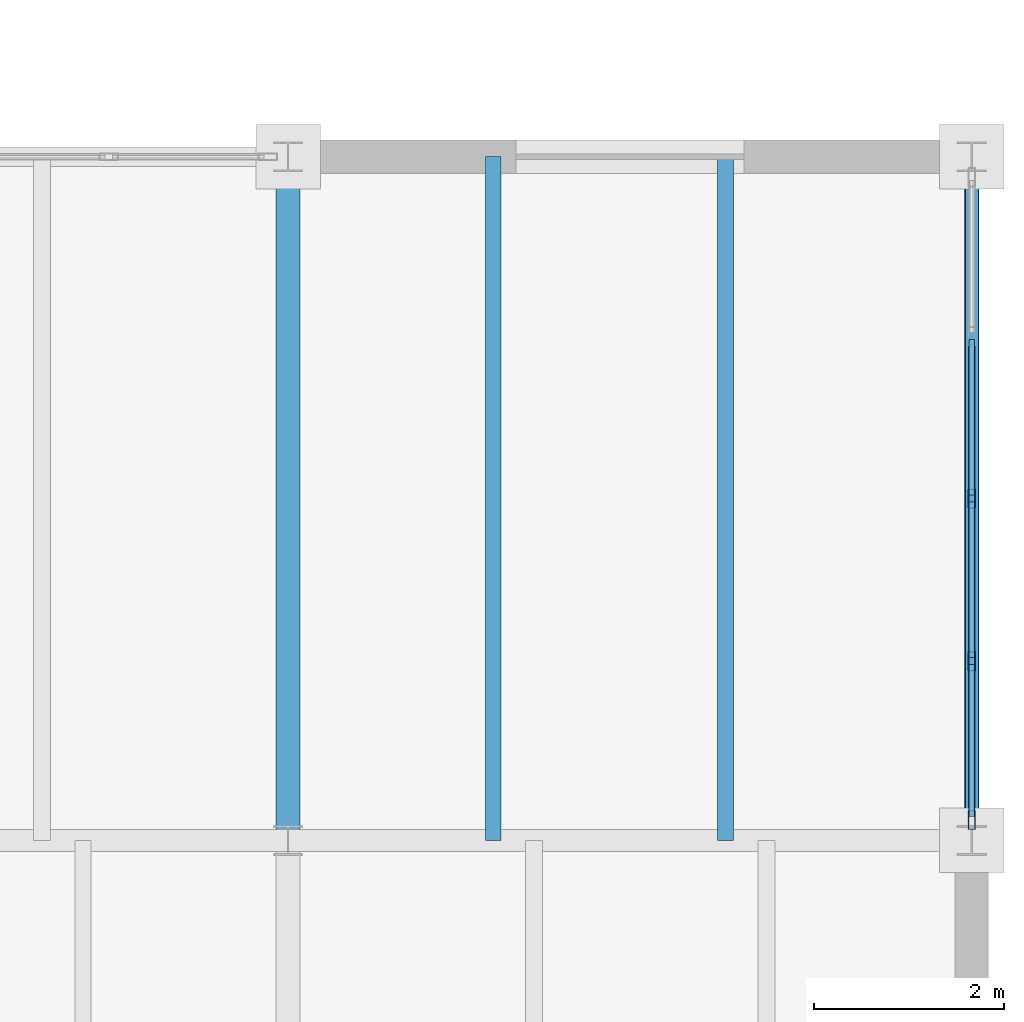
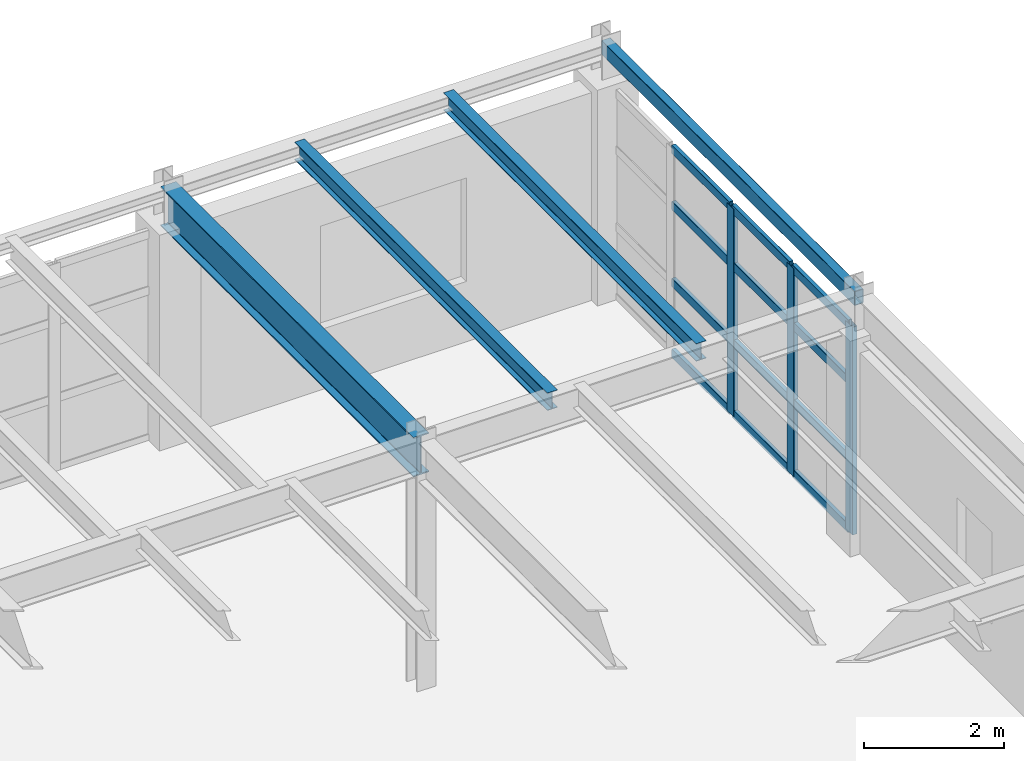
# One storey, part 100 of 137: 15 members, 4 beams, 1 element without a shape of its own.
"""IFC4 building model written with IfcOpenShell, lengths in metres."""

from ifc_helpers import new_model, si_unit, direction, frame, origin, origin_2d, place, context, subcontext, project, spatial, hollow_rectangle, i_section, extrude, material, layer, layer_set, material_profile, profile_set, type_object, element, aggregate, save


model = new_model("IFC4")

# Units and contexts
model_context = context("Model", 3, precision=1e-05, world=origin(), true_north=direction((0.0, 1.0)))
body_context = subcontext(model_context, "Body", "Model", "MODEL_VIEW")
ifc_project = project(units=[si_unit("LENGTHUNIT", "METRE"), si_unit("AREAUNIT", "SQUARE_METRE"), si_unit("VOLUMEUNIT", "CUBIC_METRE"), si_unit("PLANEANGLEUNIT", "RADIAN"), si_unit("MASSUNIT", "GRAM", prefix="KILO")], contexts=[model_context])

# Site, building, storey
site_placement = place(None, origin())
site = spatial("IfcSite", under=ifc_project, at=site_placement, CompositionType="ELEMENT")
building_placement = place(site_placement, origin())
building = spatial("IfcBuilding", under=site, at=building_placement, Name="Kemerveld Promenade Tramway Depot", CompositionType="ELEMENT")
storey_placement = place(building_placement, frame((0.0, 0.0, 5.39990234375)))
storey = spatial("IfcBuildingStorey", under=building, at=storey_placement, Name="L01", CompositionType="ELEMENT", Elevation=5.39990234375)

# Beams
ifc_material_1 = material(Name="Steel S355", Category="steel")
ifc_material_profile_1 = material_profile(ifc_material_1, i_section(OverallWidth=0.25439453125, OverallDepth=0.6875, WebThickness=0.01318359375, FlangeThickness=0.02099609375, FilletRadius=0.01513671875, at=origin_2d()), Name="686x254x152 UB")
ifc_profile_set_1 = profile_set([ifc_material_profile_1], Name="Steel S355")
beam_type_1 = type_object("IfcBeamType", Name="BM-G03", PredefinedType="BEAM", material=ifc_profile_set_1)
beam_1_placement = place(storey_placement, frame((208.800048828125, 43.199951171875, 3.976318359375), z_axis=(0.0, 1.0, 0.0), x_axis=(-1.0, 0.0, 0.0)))
element("IfcBeam", 1, at=beam_1_placement, inside=storey, type_object=beam_type_1, Name="BMY-L01-30-G-H", PredefinedType="BEAM", context=body_context, shape_type="SweptSolid", body=[
    extrude(i_section(OverallWidth=0.25439453125, OverallDepth=0.6875, WebThickness=0.01318359375, FlangeThickness=0.02099609375, FilletRadius=0.01513671875, at=origin_2d()), origin(), (0.0, 0.0, 1.0), 7.199951171875),
])
ifc_material_profile_2 = material_profile(ifc_material_1, i_section(OverallWidth=0.165771484375, OverallDepth=0.306640625, WebThickness=0.006591796875, FlangeThickness=0.01171875, FilletRadius=0.0087890625, at=origin_2d()), Name="305x165x46 UB")
ifc_profile_set_2 = profile_set([ifc_material_profile_2], Name="Steel S355")
beam_type_2 = type_object("IfcBeamType", Name="BM-J01", PredefinedType="JOIST", material=ifc_profile_set_2)
for number, where, z_axis, x_axis, name in (
    (2, (210.9599609375, 43.199951171875, 4.166748046875), (0.0, 1.0, 0.0), (-1.0, 0.0, 0.0), "JST-L01-30-G-1"),
    (3, (213.407958984375, 43.199951171875, 4.166748046875), (0.0, 1.0, 0.0), (-1.0, 0.0, 0.0), "JST-L01-30-G-2"),
):
    element("IfcBeam", number, at=place(storey_placement, frame(where, z_axis=z_axis, x_axis=x_axis)), inside=storey, type_object=beam_type_2, Name=name, PredefinedType="JOIST", context=body_context, shape_type="SweptSolid", body=[
        extrude(i_section(OverallWidth=0.165771484375, OverallDepth=0.306640625, WebThickness=0.006591796875, FlangeThickness=0.01171875, FilletRadius=0.0087890625, at=origin_2d()), origin(), (0.0, 0.0, 1.0), 7.199951171875),
    ])
ifc_material_profile_3 = material_profile(ifc_material_1, hollow_rectangle(XDim=0.14990234375, YDim=0.25, WallThickness=0.010009765625, InnerFilletRadius=0.0048828125, OuterFilletRadius=0.014892578125, at=origin_2d()), Name="250x150x10.0 RHS")
ifc_profile_set_3 = profile_set([ifc_material_profile_3], Name="Steel S355")
beam_type_3 = type_object("IfcBeamType", Name="BM-SP2", PredefinedType="SPANDREL", material=ifc_profile_set_3)
beam_2_placement = place(storey_placement, frame((216.0, 43.199951171875, 4.195068359375), z_axis=(0.0, 1.0, 0.0), x_axis=(-1.0, 0.0, 0.0)))
element("IfcBeam", 4, at=beam_2_placement, inside=storey, type_object=beam_type_3, Name="BMY-L01-31-G-H", PredefinedType="SPANDREL", context=body_context, shape_type="SweptSolid", body=[
    extrude(hollow_rectangle(XDim=0.14990234375, YDim=0.25, WallThickness=0.010009765625, InnerFilletRadius=0.0048828125, OuterFilletRadius=0.014892578125, at=origin_2d()), origin(), (0.0, 0.0, 1.0), 7.199951171875),
])

# Curtain wall, members
ifc_material_2 = material(Name="Bronze anodised aluminium and solar glass", Category="aluminium")
ifc_layer = layer(ifc_material_2, 0.199951171875)
ifc_layer_set = layer_set([ifc_layer], Name="CW-SYS-04")
curtain_wall_type = type_object("IfcCurtainWallType", Name="CW-SYS-04", PredefinedType="USERDEFINED", material=ifc_layer_set)
curtain_wall_placement = place(storey_placement, origin())
curtain_wall = element("IfcCurtainWall", 5, at=curtain_wall_placement, inside=storey, type_object=curtain_wall_type, Name="CW-L01-V2E-01", ObjectType="GLAZED_CURTAIN_WALL", PredefinedType="USERDEFINED")
ifc_material_3 = material(Name="Bronze anodised aluminium", Category="aluminium")
ifc_material_profile_4 = material_profile(ifc_material_3, hollow_rectangle(XDim=0.074951171875, YDim=0.199951171875, WallThickness=0.0048828125, InnerFilletRadius=0.001953125, OuterFilletRadius=0.0048828125, at=origin_2d()), Name="CW-MUL-200x75")
ifc_profile_set_4 = profile_set([ifc_material_profile_4], Name="Bronze anodised aluminium")
member_type_1 = type_object("IfcMemberType", Name="CW-MUL-B", PredefinedType="MULLION", material=ifc_profile_set_4)
member_1_placement = place(storey_placement, frame((216.0, 46.800048828125, 0.0), z_axis=(0.0, 0.0, 1.0), x_axis=(1.0, 0.0, 0.0)))
member_1 = element("IfcMember", 6, at=member_1_placement, type_object=member_type_1, Name="CW04 mullion 3", PredefinedType="MULLION", context=body_context, shape_type="SweptSolid", body=[
    extrude(hollow_rectangle(XDim=0.074951171875, YDim=0.199951171875, WallThickness=0.0048828125, InnerFilletRadius=0.001953125, OuterFilletRadius=0.0048828125, at=origin_2d()), origin(), (0.0, 0.0, 1.0), 3.61279296875),
])
member_2_placement = place(storey_placement, frame((216.0, 45.088623046875, 0.0), z_axis=(0.0, 0.0, 1.0), x_axis=(1.0, 0.0, 0.0)))
member_2 = element("IfcMember", 7, at=member_2_placement, type_object=member_type_1, Name="CW04 mullion 4", PredefinedType="MULLION", context=body_context, shape_type="SweptSolid", body=[
    extrude(hollow_rectangle(XDim=0.074951171875, YDim=0.199951171875, WallThickness=0.0048828125, InnerFilletRadius=0.001953125, OuterFilletRadius=0.0048828125, at=origin_2d()), origin(), (0.0, 0.0, 1.0), 3.61279296875),
])
member_3_placement = place(storey_placement, frame((216.0, 43.414794921875, 0.0), z_axis=(0.0, 0.0, 1.0), x_axis=(1.0, 0.0, 0.0)))
member_3 = element("IfcMember", 8, at=member_3_placement, type_object=member_type_1, Name="CW04 mullion 5", PredefinedType="MULLION", context=body_context, shape_type="SweptSolid", body=[
    extrude(hollow_rectangle(XDim=0.074951171875, YDim=0.199951171875, WallThickness=0.0048828125, InnerFilletRadius=0.001953125, OuterFilletRadius=0.0048828125, at=origin_2d()), origin(), (0.0, 0.0, 1.0), 3.61279296875),
])
ifc_material_profile_5 = material_profile(ifc_material_3, hollow_rectangle(XDim=0.06494140625, YDim=0.14990234375, WallThickness=0.00439453125, InnerFilletRadius=0.001953125, OuterFilletRadius=0.00439453125, at=origin_2d()), Name="CW-TRN-150x65")
ifc_profile_set_5 = profile_set([ifc_material_profile_5], Name="Bronze anodised aluminium")
member_type_2 = type_object("IfcMemberType", Name="CW-TRN-B", PredefinedType="USERDEFINED", material=ifc_profile_set_5)
member_4_placement = place(storey_placement, frame((216.0, 48.473876953125, 0.03271484375), z_axis=(0.0, -1.0, 0.0), x_axis=(1.0, 0.0, 0.0)))
member_4 = element("IfcMember", 9, at=member_4_placement, type_object=member_type_2, Name="CW04 transom 2.1", ObjectType="TRANSOM", PredefinedType="USERDEFINED", context=body_context, shape_type="SweptSolid", body=[
    extrude(hollow_rectangle(XDim=0.06494140625, YDim=0.14990234375, WallThickness=0.00439453125, InnerFilletRadius=0.001953125, OuterFilletRadius=0.00439453125, at=origin_2d()), origin(), (0.0, 0.0, 1.0), 1.636474609375),
])
member_5_placement = place(storey_placement, frame((216.0, 48.473876953125, 1.26416015625), z_axis=(0.0, -1.0, 0.0), x_axis=(1.0, 0.0, 0.0)))
member_5 = element("IfcMember", 10, at=member_5_placement, type_object=member_type_2, Name="CW04 transom 2.2", ObjectType="TRANSOM", PredefinedType="USERDEFINED", context=body_context, shape_type="SweptSolid", body=[
    extrude(hollow_rectangle(XDim=0.06494140625, YDim=0.14990234375, WallThickness=0.00439453125, InnerFilletRadius=0.001953125, OuterFilletRadius=0.00439453125, at=origin_2d()), origin(), (0.0, 0.0, 1.0), 1.636474609375),
])
member_6_placement = place(storey_placement, frame((216.0, 48.473876953125, 2.60107421875), z_axis=(0.0, -1.0, 0.0), x_axis=(1.0, 0.0, 0.0)))
member_6 = element("IfcMember", 11, at=member_6_placement, type_object=member_type_2, Name="CW04 transom 2.3", ObjectType="TRANSOM", PredefinedType="USERDEFINED", context=body_context, shape_type="SweptSolid", body=[
    extrude(hollow_rectangle(XDim=0.06494140625, YDim=0.14990234375, WallThickness=0.00439453125, InnerFilletRadius=0.001953125, OuterFilletRadius=0.00439453125, at=origin_2d()), origin(), (0.0, 0.0, 1.0), 1.636474609375),
])
member_7_placement = place(storey_placement, frame((216.0, 48.473876953125, 3.580078125), z_axis=(0.0, -1.0, 0.0), x_axis=(1.0, 0.0, 0.0)))
member_7 = element("IfcMember", 12, at=member_7_placement, type_object=member_type_2, Name="CW04 transom 2.4", ObjectType="TRANSOM", PredefinedType="USERDEFINED", context=body_context, shape_type="SweptSolid", body=[
    extrude(hollow_rectangle(XDim=0.06494140625, YDim=0.14990234375, WallThickness=0.00439453125, InnerFilletRadius=0.001953125, OuterFilletRadius=0.00439453125, at=origin_2d()), origin(), (0.0, 0.0, 1.0), 1.636474609375),
])
member_8_placement = place(storey_placement, frame((216.0, 46.762451171875, 0.03271484375), z_axis=(0.0, -1.0, 0.0), x_axis=(1.0, 0.0, 0.0)))
member_8 = element("IfcMember", 13, at=member_8_placement, type_object=member_type_2, Name="CW04 transom 3.1", ObjectType="TRANSOM", PredefinedType="USERDEFINED", context=body_context, shape_type="SweptSolid", body=[
    extrude(hollow_rectangle(XDim=0.06494140625, YDim=0.14990234375, WallThickness=0.00439453125, InnerFilletRadius=0.001953125, OuterFilletRadius=0.00439453125, at=origin_2d()), origin(), (0.0, 0.0, 1.0), 1.63623046875),
])
member_9_placement = place(storey_placement, frame((216.0, 46.762451171875, 1.26416015625), z_axis=(0.0, -1.0, 0.0), x_axis=(1.0, 0.0, 0.0)))
member_9 = element("IfcMember", 14, at=member_9_placement, type_object=member_type_2, Name="CW04 transom 3.2", ObjectType="TRANSOM", PredefinedType="USERDEFINED", context=body_context, shape_type="SweptSolid", body=[
    extrude(hollow_rectangle(XDim=0.06494140625, YDim=0.14990234375, WallThickness=0.00439453125, InnerFilletRadius=0.001953125, OuterFilletRadius=0.00439453125, at=origin_2d()), origin(), (0.0, 0.0, 1.0), 1.63623046875),
])
member_10_placement = place(storey_placement, frame((216.0, 46.762451171875, 2.60107421875), z_axis=(0.0, -1.0, 0.0), x_axis=(1.0, 0.0, 0.0)))
member_10 = element("IfcMember", 15, at=member_10_placement, type_object=member_type_2, Name="CW04 transom 3.3", ObjectType="TRANSOM", PredefinedType="USERDEFINED", context=body_context, shape_type="SweptSolid", body=[
    extrude(hollow_rectangle(XDim=0.06494140625, YDim=0.14990234375, WallThickness=0.00439453125, InnerFilletRadius=0.001953125, OuterFilletRadius=0.00439453125, at=origin_2d()), origin(), (0.0, 0.0, 1.0), 1.63623046875),
])
member_11_placement = place(storey_placement, frame((216.0, 46.762451171875, 3.580078125), z_axis=(0.0, -1.0, 0.0), x_axis=(1.0, 0.0, 0.0)))
member_11 = element("IfcMember", 16, at=member_11_placement, type_object=member_type_2, Name="CW04 transom 3.4", ObjectType="TRANSOM", PredefinedType="USERDEFINED", context=body_context, shape_type="SweptSolid", body=[
    extrude(hollow_rectangle(XDim=0.06494140625, YDim=0.14990234375, WallThickness=0.00439453125, InnerFilletRadius=0.001953125, OuterFilletRadius=0.00439453125, at=origin_2d()), origin(), (0.0, 0.0, 1.0), 1.63623046875),
])
member_12_placement = place(storey_placement, frame((216.0, 45.05126953125, 0.03271484375), z_axis=(0.0, -1.0, 0.0), x_axis=(1.0, 0.0, 0.0)))
member_12 = element("IfcMember", 17, at=member_12_placement, type_object=member_type_2, Name="CW04 transom 4.1", ObjectType="TRANSOM", PredefinedType="USERDEFINED", context=body_context, shape_type="SweptSolid", body=[
    extrude(hollow_rectangle(XDim=0.06494140625, YDim=0.14990234375, WallThickness=0.00439453125, InnerFilletRadius=0.001953125, OuterFilletRadius=0.00439453125, at=origin_2d()), origin(), (0.0, 0.0, 1.0), 1.598876953125),
])
member_13_placement = place(storey_placement, frame((216.0, 45.05126953125, 1.26416015625), z_axis=(0.0, -1.0, 0.0), x_axis=(1.0, 0.0, 0.0)))
member_13 = element("IfcMember", 18, at=member_13_placement, type_object=member_type_2, Name="CW04 transom 4.2", ObjectType="TRANSOM", PredefinedType="USERDEFINED", context=body_context, shape_type="SweptSolid", body=[
    extrude(hollow_rectangle(XDim=0.06494140625, YDim=0.14990234375, WallThickness=0.00439453125, InnerFilletRadius=0.001953125, OuterFilletRadius=0.00439453125, at=origin_2d()), origin(), (0.0, 0.0, 1.0), 1.598876953125),
])
member_14_placement = place(storey_placement, frame((216.0, 45.05126953125, 2.60107421875), z_axis=(0.0, -1.0, 0.0), x_axis=(1.0, 0.0, 0.0)))
member_14 = element("IfcMember", 19, at=member_14_placement, type_object=member_type_2, Name="CW04 transom 4.3", ObjectType="TRANSOM", PredefinedType="USERDEFINED", context=body_context, shape_type="SweptSolid", body=[
    extrude(hollow_rectangle(XDim=0.06494140625, YDim=0.14990234375, WallThickness=0.00439453125, InnerFilletRadius=0.001953125, OuterFilletRadius=0.00439453125, at=origin_2d()), origin(), (0.0, 0.0, 1.0), 1.598876953125),
])
member_15_placement = place(storey_placement, frame((216.0, 45.05126953125, 3.580078125), z_axis=(0.0, -1.0, 0.0), x_axis=(1.0, 0.0, 0.0)))
member_15 = element("IfcMember", 20, at=member_15_placement, type_object=member_type_2, Name="CW04 transom 4.4", ObjectType="TRANSOM", PredefinedType="USERDEFINED", context=body_context, shape_type="SweptSolid", body=[
    extrude(hollow_rectangle(XDim=0.06494140625, YDim=0.14990234375, WallThickness=0.00439453125, InnerFilletRadius=0.001953125, OuterFilletRadius=0.00439453125, at=origin_2d()), origin(), (0.0, 0.0, 1.0), 1.598876953125),
])
aggregate(curtain_wall, [member_1, member_2, member_3, member_4, member_5, member_6, member_7, member_8, member_9, member_10, member_11, member_12, member_13, member_14, member_15])

save(model, "model.ifc")
